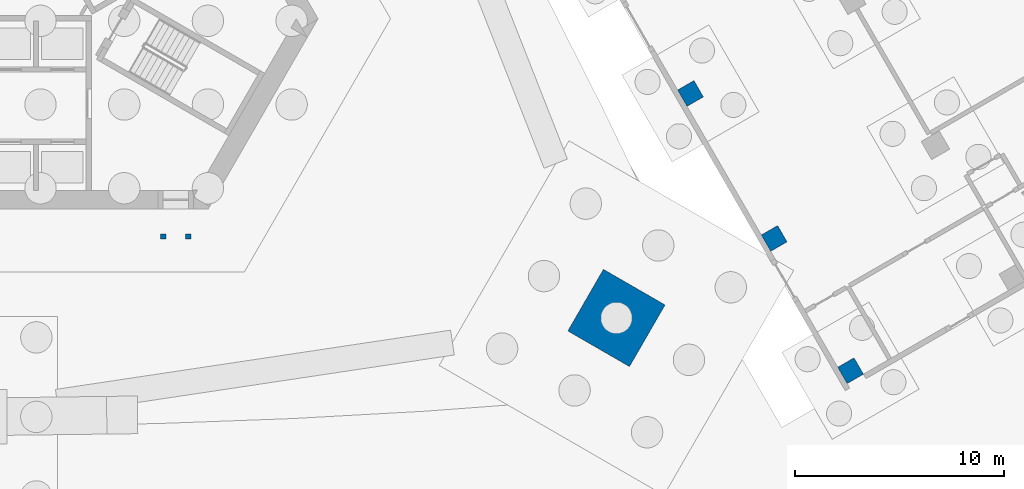
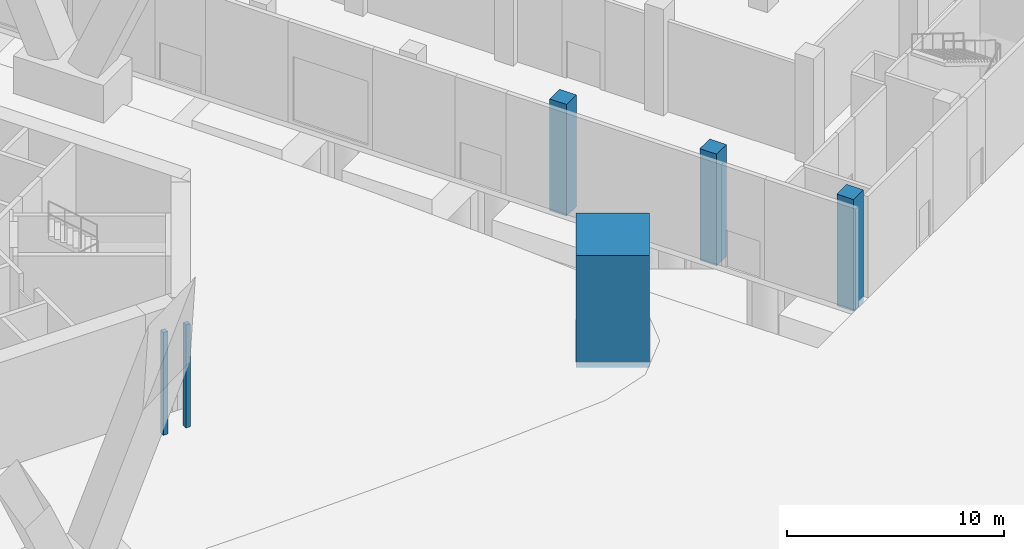
# One storey, part 5 of 38: 6 columns.
"""IFC4 building model written with IfcOpenShell, lengths in metres."""

import ifcopenshell
import ifcopenshell.guid

model = None  # the IFC model being written
_history = None  # IfcOwnerHistory: only IFC2X3 demands one
_inside = {}  # id of a spatial element -> (the spatial element, [elements in it])
_under = {}  # id of a project, library or spatial element -> (it, [spatial elements below it])
_declared = {}  # id of a project -> (the project, [libraries it declares])
_typed = {}  # id of a type object -> (the type object, [elements of that type])
_made_of = {}  # id of a material, layer set ... -> (it, [elements and type objects made of it])


def new_model(schema):
    """Start an empty IFC model of exactly this schema.

    Asked for "IFC4X3", IfcOpenShell would pick the latest addendum, in which some entities
    have other attributes; the version numbers below select the first issue.
    IFC2X3 requires an IfcOwnerHistory on every rooted entity: one is made here for all.
    """
    global model, _history
    if schema == "IFC4X3":
        model = ifcopenshell.file(schema_version=(4, 3, 0, 0))
    else:
        model = ifcopenshell.file(schema=schema)
    _inside.clear()
    _under.clear()
    _declared.clear()
    _typed.clear()
    _made_of.clear()
    _history = None
    if model.schema == "IFC2X3":
        org = make("IfcOrganization", Name="unknown")
        user = make(
            "IfcPersonAndOrganization",
            ThePerson=make("IfcPerson", FamilyName="unknown"),
            TheOrganization=org,
        )
        app = make(
            "IfcApplication",
            ApplicationDeveloper=org,
            Version="unknown",
            ApplicationFullName="unknown",
            ApplicationIdentifier="unknown",
        )
        _history = make(
            "IfcOwnerHistory",
            OwningUser=user,
            OwningApplication=app,
            ChangeAction="ADDED",
            CreationDate=0,
        )
    return model


def make(cls, **values):
    """One entity of the class cls with the attributes given. An attribute that is None is left unset."""
    return model.create_entity(
        cls, **{name: value for name, value in values.items() if value is not None}
    )


def rooted(cls, **values):
    """An entity with a GlobalId (a new one), such as an element, a storey or a relation."""
    return make(cls, GlobalId=ifcopenshell.guid.new(), OwnerHistory=_history, **values)


def si_unit(unit_type, name, prefix=None):
    """IfcSIUnit, for example si_unit("LENGTHUNIT", "METRE", prefix="MILLI")."""
    return make("IfcSIUnit", UnitType=unit_type, Prefix=prefix, Name=name)


def assignment(units):
    """IfcUnitAssignment: the units of a project."""
    return None if units is None else make("IfcUnitAssignment", Units=units)


def point(xyz):
    """IfcCartesianPoint."""
    return None if xyz is None else make("IfcCartesianPoint", Coordinates=xyz)


def direction(xyz):
    """IfcDirection."""
    return None if xyz is None else make("IfcDirection", DirectionRatios=xyz)


def frame(location, z_axis=None, x_axis=None):
    """IfcAxis2Placement3D, a coordinate frame: its origin and axes. An axis left out is left unset."""
    return make(
        "IfcAxis2Placement3D",
        Location=point(location),
        Axis=direction(z_axis),
        RefDirection=direction(x_axis),
    )


def frame_2d(location, x_axis=None):
    """IfcAxis2Placement2D, a coordinate frame in the plane: its origin and x axis."""
    return make(
        "IfcAxis2Placement2D", Location=point(location), RefDirection=direction(x_axis)
    )


def origin():
    """The frame at (0, 0, 0) with its axes left unset."""
    return frame((0.0, 0.0, 0.0))


def origin_2d():
    """The frame at (0, 0) in the plane with its x axis left unset."""
    return frame_2d((0.0, 0.0))


def place(relative_to, where):
    """IfcLocalPlacement: puts the frame where relative to a parent placement (None: the world)."""
    return make(
        "IfcLocalPlacement", PlacementRelTo=relative_to, RelativePlacement=where
    )


def context(
    kind, dimensions, precision=None, world=None, true_north=None, identifier=None
):
    """IfcGeometricRepresentationContext, for example the 3D "Model" context."""
    return make(
        "IfcGeometricRepresentationContext",
        ContextIdentifier=identifier,
        ContextType=kind,
        CoordinateSpaceDimension=dimensions,
        Precision=precision,
        WorldCoordinateSystem=world,
        TrueNorth=true_north,
    )


def subcontext(parent, identifier, kind, view, scale=None):
    """IfcGeometricRepresentationSubContext, for example "Body" below "Model"."""
    return make(
        "IfcGeometricRepresentationSubContext",
        ContextIdentifier=identifier,
        ContextType=kind,
        ParentContext=parent,
        TargetScale=scale,
        TargetView=view,
    )


def project(units=None, contexts=None):
    """IfcProject with its units and contexts."""
    return rooted(
        "IfcProject",
        Name="project",
        RepresentationContexts=contexts,
        UnitsInContext=assignment(units),
    )


def spatial(cls, under=None, at=None, **own):
    """A site, building, storey or space (cls), placed at a placement, below another one or the project."""
    s = rooted(cls, ObjectPlacement=at, **own)
    if under is not None:
        _under.setdefault(under.id(), (under, []))[1].append(s)
    return s


def profile(cls, at=None, kind="AREA", **sizes):
    """A parametric profile (cls). Its sizes go by their IFC names, for example OverallWidth=200.0."""
    return make(cls, ProfileType=kind, Position=at, **sizes)


def rectangle(**sizes):
    """IfcRectangleProfileDef."""
    return profile("IfcRectangleProfileDef", **sizes)


def extrude(swept, where, along, depth):
    """IfcExtrudedAreaSolid: the profile swept, set in the frame where, extruded along a direction by depth."""
    return make(
        "IfcExtrudedAreaSolid",
        SweptArea=swept,
        Position=where,
        ExtrudedDirection=direction(along),
        Depth=depth,
    )


def shape(context_of_items, identifier, shape_type, items):
    """IfcShapeRepresentation: the items that make up one representation, for example the "Body"."""
    return make(
        "IfcShapeRepresentation",
        ContextOfItems=context_of_items,
        RepresentationIdentifier=identifier,
        RepresentationType=shape_type,
        Items=items,
    )


def material(Name=None, Category=None):
    """IfcMaterial."""
    return make("IfcMaterial", Name=Name, Category=Category)


def material_profile(
    of_material, cross_section, Name=None, Category=None, Priority=None
):
    """IfcMaterialProfile: a cross section and its material."""
    return make(
        "IfcMaterialProfile",
        Name=Name,
        Material=of_material,
        Profile=cross_section,
        Priority=Priority,
        Category=Category,
    )


def profile_set(profiles, Name=None, composite=None):
    """IfcMaterialProfileSet."""
    return make(
        "IfcMaterialProfileSet",
        Name=Name,
        MaterialProfiles=profiles,
        CompositeProfile=composite,
    )


def made_of(thing, what):
    """Note that an element or type object is made of a material, layer set ...; save() writes the relation."""
    if what is not None:
        _made_of.setdefault(what.id(), (what, []))[1].append(thing)
    return thing


def type_object(cls, material=None, **own):
    """A type object (cls), such as IfcWallType, which elements share."""
    return made_of(rooted(cls, **own), material)


def element(
    cls,
    number,
    at=None,
    inside=None,
    cuts=None,
    type_object=None,
    material=None,
    context=None,
    identifier="Body",
    shape_type=None,
    held_by="IfcProductDefinitionShape",
    body=None,
    shapes=None,
    **own,
):
    """One element of the class cls, such as IfcWall. Its Tag is "e" and its number.

    at: its placement. inside: the storey or other place that contains it. cuts: it is an
    opening in that element (IfcRelVoidsElement). A single representation is given by context,
    identifier, shape_type and body (its items); several are given by shapes. held_by: the class
    of the entity that holds the representations. save() writes the other relations.
    """
    e = rooted(cls, Tag="e%d" % number, ObjectPlacement=at, **own)
    if body is not None:
        shapes = [shape(context, identifier, shape_type, body)]
    if shapes is not None:
        e.Representation = make(held_by, Representations=shapes)
    if inside is not None:
        _inside.setdefault(inside.id(), (inside, []))[1].append(e)
    if cuts is not None:
        rooted(
            "IfcRelVoidsElement", RelatingBuildingElement=cuts, RelatedOpeningElement=e
        )
    if type_object is not None:
        _typed.setdefault(type_object.id(), (type_object, []))[1].append(e)
    return made_of(e, material)


def aggregate(whole, parts):
    """IfcRelAggregates: a whole, such as a stair, and the parts it consists of."""
    return rooted("IfcRelAggregates", RelatingObject=whole, RelatedObjects=parts)


def save(model, path):
    """Write the relations noted so far, then the file.

    IfcRelAggregates (storeys below a building ...), IfcRelContainedInSpatialStructure (elements
    in a storey), IfcRelDefinesByType, IfcRelAssociatesMaterial and IfcRelDeclares: one each for
    every whole, place, type object, material and project.
    """
    for whole, parts in _under.values():
        aggregate(whole, parts)
    for where, things in _inside.values():
        rooted(
            "IfcRelContainedInSpatialStructure",
            RelatedElements=things,
            RelatingStructure=where,
        )
    for kind, things in _typed.values():
        rooted("IfcRelDefinesByType", RelatedObjects=things, RelatingType=kind)
    for what, things in _made_of.values():
        rooted("IfcRelAssociatesMaterial", RelatedObjects=things, RelatingMaterial=what)
    for by, libraries in _declared.values():
        rooted("IfcRelDeclares", RelatingContext=by, RelatedDefinitions=libraries)
    model.write(path)


model = new_model("IFC4")

# Units and contexts
model_context = context("Model", 3, precision=1e-05, world=origin(), true_north=direction((0.0, 1.0)))
body_context = subcontext(model_context, "Body", "Model", "MODEL_VIEW")
ifc_project = project(units=[si_unit("LENGTHUNIT", "METRE"), si_unit("AREAUNIT", "SQUARE_METRE"), si_unit("VOLUMEUNIT", "CUBIC_METRE"), si_unit("PLANEANGLEUNIT", "RADIAN"), si_unit("MASSUNIT", "GRAM", prefix="KILO")], contexts=[model_context])

# Site, building, storey
site_placement = place(None, origin())
site = spatial("IfcSite", under=ifc_project, at=site_placement, CompositionType="ELEMENT")
building_placement = place(site_placement, origin())
building = spatial("IfcBuilding", under=site, at=building_placement, Name="Mestral Congress Tower", CompositionType="ELEMENT")
storey_placement = place(building_placement, origin())
storey = spatial("IfcBuildingStorey", under=building, at=storey_placement, Name="L00", CompositionType="ELEMENT", Elevation=0.0)

# Columns
ifc_material_1 = material(Name="Concrete C80/95", Category="concrete")
ifc_material_profile_1 = material_profile(ifc_material_1, rectangle(XDim=3.39990234375, YDim=3.39990234375, at=origin_2d()), Name="RC 3400x3400")
ifc_profile_set_1 = profile_set([ifc_material_profile_1], Name="Concrete C80/95")
column_type_1 = type_object("IfcColumnType", Name="Mega column RC 3400x3400 C80/95", PredefinedType="COLUMN", material=ifc_profile_set_1)
column_placement = place(storey_placement, frame((31.5224609375, -18.199462890625, -0.300048828125), z_axis=(0.0, 0.0, 1.0), x_axis=(0.866025403784, -0.5, 0.0)))
element("IfcColumn", 1, at=column_placement, inside=storey, type_object=column_type_1, Name="COL-L00-PY1-SE", PredefinedType="COLUMN", context=body_context, shape_type="SweptSolid", body=[
    extrude(rectangle(XDim=3.39990234375, YDim=3.39990234375, at=origin_2d()), origin(), (0.0, 0.0, 1.0), 6.300048828125),
])
ifc_material_2 = material(Name="Concrete C50/60", Category="concrete")
ifc_material_profile_2 = material_profile(ifc_material_2, rectangle(XDim=0.89990234375, YDim=0.89990234375, at=origin_2d()), Name="RC 900x900")
ifc_profile_set_2 = profile_set([ifc_material_profile_2], Name="Concrete C50/60")
column_type_2 = type_object("IfcColumnType", Name="Podium column RC 900x900 C50/60", PredefinedType="COLUMN", material=ifc_profile_set_2)
for number, where, z_axis, x_axis, name in (
    (2, (42.71044921875, -20.720703125, -0.300048828125), (0.0, 0.0, 1.0), (-0.5, 0.866025403784, 0.0), "COL-L00-PC-E-01A"),
    (3, (39.060546875, -14.398681640625, -0.300048828125), (0.0, 0.0, 1.0), (-0.5, 0.866025403784, 0.0), "COL-L00-PC-E-02A"),
    (4, (35.060546875, -7.470703125, -0.300048828125), (0.0, 0.0, 1.0), (-0.5, 0.866025403784, 0.0), "COL-L00-PC-E-03A"),
):
    element("IfcColumn", number, at=place(storey_placement, frame(where, z_axis=z_axis, x_axis=x_axis)), inside=storey, type_object=column_type_2, Name=name, PredefinedType="COLUMN", context=body_context, shape_type="SweptSolid", body=[
        extrude(rectangle(XDim=0.89990234375, YDim=0.89990234375, at=origin_2d()), origin(), (0.0, 0.0, 1.0), 6.300048828125),
    ])
ifc_material_3 = material(Name="Concrete C40/50", Category="concrete")
ifc_material_profile_3 = material_profile(ifc_material_3, rectangle(XDim=0.25, YDim=0.25, at=origin_2d()), Name="RC 250x250")
ifc_profile_set_3 = profile_set([ifc_material_profile_3], Name="Concrete C40/50")
column_type_3 = type_object("IfcColumnType", Name="Podium door landing column RC 250x250 C40/50", PredefinedType="COLUMN", material=ifc_profile_set_3)
for number, where, z_axis, x_axis, name in (
    (5, (9.86181640625, -14.300048828125, 0.0), (0.0, 0.0, 1.0), (1.0, 0.0, 0.0), "pd-dl-XD1-L01-C1-L00"),
    (6, (11.061767578125, -14.300048828125, 0.0), (0.0, 0.0, 1.0), (1.0, 0.0, 0.0), "pd-dl-XD1-L01-C2-L00"),
):
    element("IfcColumn", number, at=place(storey_placement, frame(where, z_axis=z_axis, x_axis=x_axis)), inside=storey, type_object=column_type_3, Name=name, PredefinedType="COLUMN", context=body_context, shape_type="SweptSolid", body=[
        extrude(rectangle(XDim=0.25, YDim=0.25, at=origin_2d()), origin(), (0.0, 0.0, 1.0), 5.800048828125),
    ])

save(model, "model.ifc")
